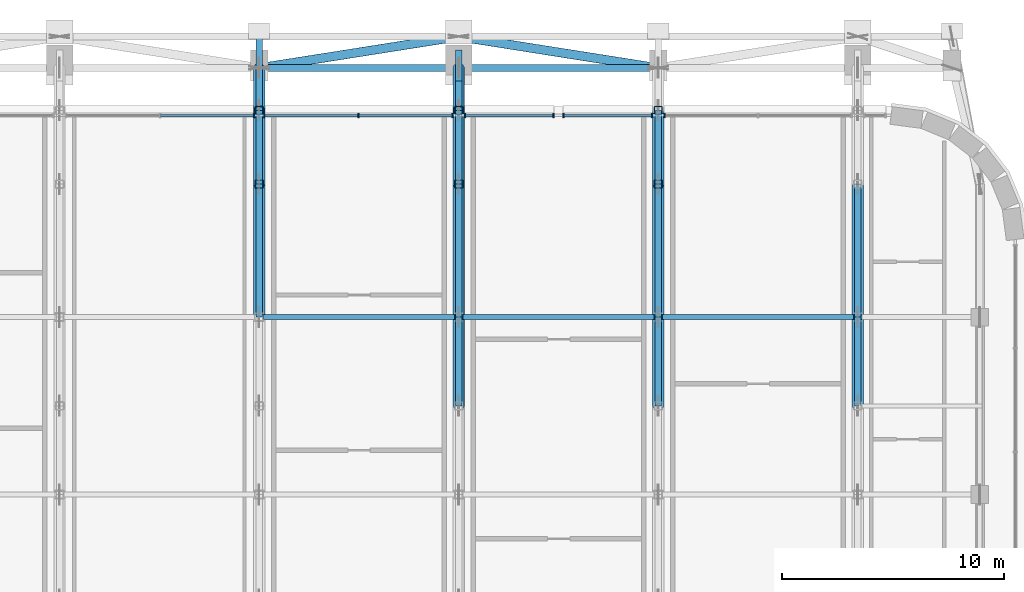
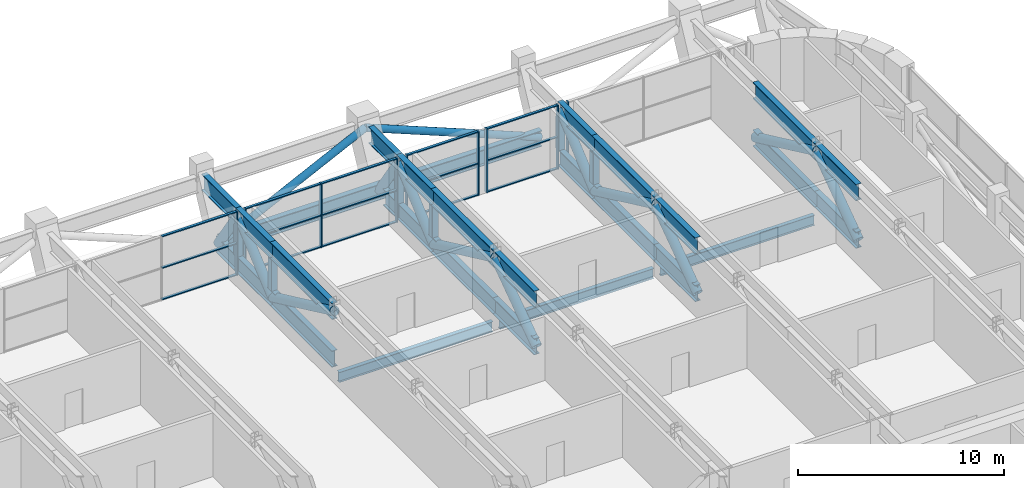
# One storey, part 11 of 28: 70 members, 3 beams, 5 elements without a shape of their own.
"""IFC4 building model written with IfcOpenShell, lengths in metres."""

from ifc_helpers import new_model, si_unit, direction, frame, origin, origin_2d, place, context, subcontext, project, spatial, rectangle, hollow_rectangle, hollow_circle, i_section, extrude, material, material_profile, profile_set, type_object, element, aggregate, save


model = new_model("IFC4")

# Units and contexts
model_context = context("Model", 3, precision=1e-05, world=origin(), true_north=direction((0.0, 1.0)))
body_context = subcontext(model_context, "Body", "Model", "MODEL_VIEW")
ifc_project = project(units=[si_unit("LENGTHUNIT", "METRE"), si_unit("AREAUNIT", "SQUARE_METRE"), si_unit("VOLUMEUNIT", "CUBIC_METRE"), si_unit("PLANEANGLEUNIT", "RADIAN"), si_unit("MASSUNIT", "GRAM", prefix="KILO")], contexts=[model_context])

# Site, building, storey
site_placement = place(None, origin())
site = spatial("IfcSite", under=ifc_project, at=site_placement, CompositionType="ELEMENT")
building_placement = place(site_placement, origin())
building = spatial("IfcBuilding", under=site, at=building_placement, Name="Zellij Exchange Tower", CompositionType="ELEMENT")
storey_placement = place(building_placement, frame((0.0, 0.0, 268.5)))
storey = spatial("IfcBuildingStorey", under=building, at=storey_placement, Name="L63", CompositionType="ELEMENT", Elevation=268.5)

# Curtain wall, member
ifc_material_1 = material(Name="Aluminium frame, clear insulating glass", Category="aluminium")
curtain_wall_type = type_object("IfcCurtainWallType", Name="ENV-CW2 Outrigger-storey glazing", PredefinedType="NOTDEFINED", material=ifc_material_1)
curtain_wall_1_placement = place(storey_placement, origin())
curtain_wall_1 = element("IfcCurtainWall", 1, at=curtain_wall_1_placement, inside=storey, type_object=curtain_wall_type, Name="cw.L63.14a.b", PredefinedType="NOTDEFINED")
ifc_material_2 = material(Name="Aluminium", Category="aluminium")
ifc_material_profile_1 = material_profile(ifc_material_2, rectangle(XDim=0.06005859375, YDim=0.199951171875, at=origin_2d()), Name="AL 60x200")
ifc_profile_set_1 = profile_set([ifc_material_profile_1], Name="Aluminium")
member_type_1 = type_object("IfcMemberType", Name="ENV-CW2M Mullion 60x200", PredefinedType="MULLION", material=ifc_profile_set_1)
member_1_placement = place(storey_placement, frame((18.27978515625, 31.10009765625, 0.0), z_axis=(0.0, 0.0, 1.0), x_axis=(-1.0, 0.0, 0.0)))
member_1 = element("IfcMember", 2, at=member_1_placement, type_object=member_type_1, Name="CW2 mullion 3", PredefinedType="MULLION", context=body_context, shape_type="SweptSolid", body=[
    extrude(rectangle(XDim=0.06005859375, YDim=0.199951171875, at=origin_2d()), origin(), (0.0, 0.0, 1.0), 3.780029296875),
])
aggregate(curtain_wall_1, [member_1])

# Curtain wall, members
curtain_wall_2_placement = place(storey_placement, origin())
curtain_wall_2 = element("IfcCurtainWall", 3, at=curtain_wall_2_placement, inside=storey, type_object=curtain_wall_type, Name="cw.L63.14a.c", PredefinedType="NOTDEFINED")
member_2_placement = place(storey_placement, frame((17.72021484375, 31.10009765625, 0.0), z_axis=(0.0, 0.0, 1.0), x_axis=(-1.0, 0.0, 0.0)))
member_2 = element("IfcMember", 4, at=member_2_placement, type_object=member_type_1, Name="CW2 mullion 1", PredefinedType="MULLION", context=body_context, shape_type="SweptSolid", body=[
    extrude(rectangle(XDim=0.06005859375, YDim=0.199951171875, at=origin_2d()), origin(), (0.0, 0.0, 1.0), 3.780029296875),
])
member_3_placement = place(storey_placement, frame((13.72998046875, 31.10009765625, 0.0), z_axis=(0.0, 0.0, 1.0), x_axis=(-1.0, 0.0, 0.0)))
member_3 = element("IfcMember", 5, at=member_3_placement, type_object=member_type_1, Name="CW2 mullion 2", PredefinedType="MULLION", context=body_context, shape_type="SweptSolid", body=[
    extrude(rectangle(XDim=0.06005859375, YDim=0.199951171875, at=origin_2d()), origin(), (0.0, 0.0, 1.0), 3.780029296875),
])

curtain_wall_3_placement = place(storey_placement, origin())
curtain_wall_3 = element("IfcCurtainWall", 6, at=curtain_wall_3_placement, inside=storey, type_object=curtain_wall_type, Name="cw.L63.14b.a", PredefinedType="NOTDEFINED")
member_4_placement = place(storey_placement, frame((13.27001953125, 31.10009765625, 0.0), z_axis=(0.0, 0.0, 1.0), x_axis=(-1.0, 0.0, 0.0)))
member_4 = element("IfcMember", 7, at=member_4_placement, type_object=member_type_1, Name="CW2 mullion 1", PredefinedType="MULLION", context=body_context, shape_type="SweptSolid", body=[
    extrude(rectangle(XDim=0.06005859375, YDim=0.199951171875, at=origin_2d()), origin(), (0.0, 0.0, 1.0), 3.780029296875),
])
member_5_placement = place(storey_placement, frame((9.27978515625, 31.10009765625, 0.0), z_axis=(0.0, 0.0, 1.0), x_axis=(-1.0, 0.0, 0.0)))
member_5 = element("IfcMember", 8, at=member_5_placement, type_object=member_type_1, Name="CW2 mullion 2", PredefinedType="MULLION", context=body_context, shape_type="SweptSolid", body=[
    extrude(rectangle(XDim=0.06005859375, YDim=0.199951171875, at=origin_2d()), origin(), (0.0, 0.0, 1.0), 3.780029296875),
])

curtain_wall_4_placement = place(storey_placement, origin())
curtain_wall_4 = element("IfcCurtainWall", 9, at=curtain_wall_4_placement, inside=storey, type_object=curtain_wall_type, Name="cw.L63.14b.b", PredefinedType="NOTDEFINED")
member_6_placement = place(storey_placement, frame((8.72021484375, 31.10009765625, 0.0), z_axis=(0.0, 0.0, 1.0), x_axis=(-1.0, 0.0, 0.0)))
member_6 = element("IfcMember", 10, at=member_6_placement, type_object=member_type_1, Name="CW2 mullion 1", PredefinedType="MULLION", context=body_context, shape_type="SweptSolid", body=[
    extrude(rectangle(XDim=0.06005859375, YDim=0.199951171875, at=origin_2d()), origin(), (0.0, 0.0, 1.0), 3.780029296875),
])
member_7_placement = place(storey_placement, frame((4.47509765625, 31.10009765625, 0.0), z_axis=(0.0, 0.0, 1.0), x_axis=(-1.0, 0.0, 0.0)))
member_7 = element("IfcMember", 11, at=member_7_placement, type_object=member_type_1, Name="CW2 mullion 2", PredefinedType="MULLION", context=body_context, shape_type="SweptSolid", body=[
    extrude(rectangle(XDim=0.06005859375, YDim=0.199951171875, at=origin_2d()), origin(), (0.0, 0.0, 1.0), 3.780029296875),
])
member_8_placement = place(storey_placement, frame((0.22998046875, 31.10009765625, 0.0), z_axis=(0.0, 0.0, 1.0), x_axis=(-1.0, 0.0, 0.0)))
member_8 = element("IfcMember", 12, at=member_8_placement, type_object=member_type_1, Name="CW2 mullion 3", PredefinedType="MULLION", context=body_context, shape_type="SweptSolid", body=[
    extrude(rectangle(XDim=0.06005859375, YDim=0.199951171875, at=origin_2d()), origin(), (0.0, 0.0, 1.0), 3.780029296875),
])

# Curtain wall, member
curtain_wall_5_placement = place(storey_placement, origin())
curtain_wall_5 = element("IfcCurtainWall", 13, at=curtain_wall_5_placement, inside=storey, type_object=curtain_wall_type, Name="cw.L63.14c.a", PredefinedType="NOTDEFINED")
member_9_placement = place(storey_placement, frame((-0.22998046875, 31.10009765625, 0.0), z_axis=(0.0, 0.0, 1.0), x_axis=(-1.0, 0.0, 0.0)))
member_9 = element("IfcMember", 14, at=member_9_placement, type_object=member_type_1, Name="CW2 mullion 1", PredefinedType="MULLION", context=body_context, shape_type="SweptSolid", body=[
    extrude(rectangle(XDim=0.06005859375, YDim=0.199951171875, at=origin_2d()), origin(), (0.0, 0.0, 1.0), 3.780029296875),
])

# Member
ifc_material_profile_2 = material_profile(ifc_material_2, rectangle(XDim=0.139892578125, YDim=0.06005859375, at=origin_2d()), Name="AL 140x60")
ifc_profile_set_2 = profile_set([ifc_material_profile_2], Name="Aluminium")
member_type_2 = type_object("IfcMemberType", Name="ENV-CW2T Transom 140x60", PredefinedType="USERDEFINED", material=ifc_profile_set_2)
member_10_placement = place(storey_placement, frame((17.690185546875, 31.10009765625, 0.030029296875), z_axis=(-1.0, 0.0, 0.0), x_axis=(0.0, -1.0, 0.0)))
member_10 = element("IfcMember", 15, at=member_10_placement, type_object=member_type_2, Name="CW2 transom 1.1", ObjectType="TRANSOM", PredefinedType="USERDEFINED", context=body_context, shape_type="SweptSolid", body=[
    extrude(rectangle(XDim=0.139892578125, YDim=0.06005859375, at=origin_2d()), origin(), (0.0, 0.0, 1.0), 3.93017578125),
])

member_11_placement = place(storey_placement, frame((17.690185546875, 31.10009765625, 1.889892578125), z_axis=(-1.0, 0.0, 0.0), x_axis=(0.0, -1.0, 0.0)))
member_11 = element("IfcMember", 16, at=member_11_placement, type_object=member_type_2, Name="CW2 transom 1.2", ObjectType="TRANSOM", PredefinedType="USERDEFINED", context=body_context, shape_type="SweptSolid", body=[
    extrude(rectangle(XDim=0.139892578125, YDim=0.06005859375, at=origin_2d()), origin(), (0.0, 0.0, 1.0), 3.93017578125),
])

member_12_placement = place(storey_placement, frame((17.690185546875, 31.10009765625, 3.75), z_axis=(-1.0, 0.0, 0.0), x_axis=(0.0, -1.0, 0.0)))
member_12 = element("IfcMember", 17, at=member_12_placement, type_object=member_type_2, Name="CW2 transom 1.3", ObjectType="TRANSOM", PredefinedType="USERDEFINED", context=body_context, shape_type="SweptSolid", body=[
    extrude(rectangle(XDim=0.139892578125, YDim=0.06005859375, at=origin_2d()), origin(), (0.0, 0.0, 1.0), 3.93017578125),
])

aggregate(curtain_wall_2, [member_2, member_3, member_10, member_11, member_12])

member_13_placement = place(storey_placement, frame((13.239990234375, 31.10009765625, 0.030029296875), z_axis=(-1.0, 0.0, 0.0), x_axis=(0.0, -1.0, 0.0)))
member_13 = element("IfcMember", 18, at=member_13_placement, type_object=member_type_2, Name="CW2 transom 1.1", ObjectType="TRANSOM", PredefinedType="USERDEFINED", context=body_context, shape_type="SweptSolid", body=[
    extrude(rectangle(XDim=0.139892578125, YDim=0.06005859375, at=origin_2d()), origin(), (0.0, 0.0, 1.0), 3.93017578125),
])

member_14_placement = place(storey_placement, frame((13.239990234375, 31.10009765625, 1.889892578125), z_axis=(-1.0, 0.0, 0.0), x_axis=(0.0, -1.0, 0.0)))
member_14 = element("IfcMember", 19, at=member_14_placement, type_object=member_type_2, Name="CW2 transom 1.2", ObjectType="TRANSOM", PredefinedType="USERDEFINED", context=body_context, shape_type="SweptSolid", body=[
    extrude(rectangle(XDim=0.139892578125, YDim=0.06005859375, at=origin_2d()), origin(), (0.0, 0.0, 1.0), 3.93017578125),
])

member_15_placement = place(storey_placement, frame((13.239990234375, 31.10009765625, 3.75), z_axis=(-1.0, 0.0, 0.0), x_axis=(0.0, -1.0, 0.0)))
member_15 = element("IfcMember", 20, at=member_15_placement, type_object=member_type_2, Name="CW2 transom 1.3", ObjectType="TRANSOM", PredefinedType="USERDEFINED", context=body_context, shape_type="SweptSolid", body=[
    extrude(rectangle(XDim=0.139892578125, YDim=0.06005859375, at=origin_2d()), origin(), (0.0, 0.0, 1.0), 3.93017578125),
])

aggregate(curtain_wall_3, [member_4, member_5, member_13, member_14, member_15])

member_16_placement = place(storey_placement, frame((8.690185546875, 31.10009765625, 0.030029296875), z_axis=(-1.0, 0.0, 0.0), x_axis=(0.0, -1.0, 0.0)))
member_16 = element("IfcMember", 21, at=member_16_placement, type_object=member_type_2, Name="CW2 transom 1.1", ObjectType="TRANSOM", PredefinedType="USERDEFINED", context=body_context, shape_type="SweptSolid", body=[
    extrude(rectangle(XDim=0.139892578125, YDim=0.06005859375, at=origin_2d()), origin(), (0.0, 0.0, 1.0), 4.18505859375),
])

member_17_placement = place(storey_placement, frame((8.690185546875, 31.10009765625, 1.889892578125), z_axis=(-1.0, 0.0, 0.0), x_axis=(0.0, -1.0, 0.0)))
member_17 = element("IfcMember", 22, at=member_17_placement, type_object=member_type_2, Name="CW2 transom 1.2", ObjectType="TRANSOM", PredefinedType="USERDEFINED", context=body_context, shape_type="SweptSolid", body=[
    extrude(rectangle(XDim=0.139892578125, YDim=0.06005859375, at=origin_2d()), origin(), (0.0, 0.0, 1.0), 4.18505859375),
])

member_18_placement = place(storey_placement, frame((8.690185546875, 31.10009765625, 3.75), z_axis=(-1.0, 0.0, 0.0), x_axis=(0.0, -1.0, 0.0)))
member_18 = element("IfcMember", 23, at=member_18_placement, type_object=member_type_2, Name="CW2 transom 1.3", ObjectType="TRANSOM", PredefinedType="USERDEFINED", context=body_context, shape_type="SweptSolid", body=[
    extrude(rectangle(XDim=0.139892578125, YDim=0.06005859375, at=origin_2d()), origin(), (0.0, 0.0, 1.0), 4.18505859375),
])

member_19_placement = place(storey_placement, frame((4.445068359375, 31.10009765625, 0.030029296875), z_axis=(-1.0, 0.0, 0.0), x_axis=(0.0, -1.0, 0.0)))
member_19 = element("IfcMember", 24, at=member_19_placement, type_object=member_type_2, Name="CW2 transom 2.1", ObjectType="TRANSOM", PredefinedType="USERDEFINED", context=body_context, shape_type="SweptSolid", body=[
    extrude(rectangle(XDim=0.139892578125, YDim=0.06005859375, at=origin_2d()), origin(), (0.0, 0.0, 1.0), 4.18505859375),
])

member_20_placement = place(storey_placement, frame((4.445068359375, 31.10009765625, 1.889892578125), z_axis=(-1.0, 0.0, 0.0), x_axis=(0.0, -1.0, 0.0)))
member_20 = element("IfcMember", 25, at=member_20_placement, type_object=member_type_2, Name="CW2 transom 2.2", ObjectType="TRANSOM", PredefinedType="USERDEFINED", context=body_context, shape_type="SweptSolid", body=[
    extrude(rectangle(XDim=0.139892578125, YDim=0.06005859375, at=origin_2d()), origin(), (0.0, 0.0, 1.0), 4.18505859375),
])

member_21_placement = place(storey_placement, frame((4.445068359375, 31.10009765625, 3.75), z_axis=(-1.0, 0.0, 0.0), x_axis=(0.0, -1.0, 0.0)))
member_21 = element("IfcMember", 26, at=member_21_placement, type_object=member_type_2, Name="CW2 transom 2.3", ObjectType="TRANSOM", PredefinedType="USERDEFINED", context=body_context, shape_type="SweptSolid", body=[
    extrude(rectangle(XDim=0.139892578125, YDim=0.06005859375, at=origin_2d()), origin(), (0.0, 0.0, 1.0), 4.18505859375),
])

aggregate(curtain_wall_4, [member_6, member_7, member_8, member_16, member_17, member_18, member_19, member_20, member_21])

member_22_placement = place(storey_placement, frame((-0.260009765625, 31.10009765625, 0.030029296875), z_axis=(-1.0, 0.0, 0.0), x_axis=(0.0, -1.0, 0.0)))
member_22 = element("IfcMember", 27, at=member_22_placement, type_object=member_type_2, Name="CW2 transom 1.1", ObjectType="TRANSOM", PredefinedType="USERDEFINED", context=body_context, shape_type="SweptSolid", body=[
    extrude(rectangle(XDim=0.139892578125, YDim=0.06005859375, at=origin_2d()), origin(), (0.0, 0.0, 1.0), 4.18505859375),
])

member_23_placement = place(storey_placement, frame((-0.260009765625, 31.10009765625, 1.889892578125), z_axis=(-1.0, 0.0, 0.0), x_axis=(0.0, -1.0, 0.0)))
member_23 = element("IfcMember", 28, at=member_23_placement, type_object=member_type_2, Name="CW2 transom 1.2", ObjectType="TRANSOM", PredefinedType="USERDEFINED", context=body_context, shape_type="SweptSolid", body=[
    extrude(rectangle(XDim=0.139892578125, YDim=0.06005859375, at=origin_2d()), origin(), (0.0, 0.0, 1.0), 4.18505859375),
])

member_24_placement = place(storey_placement, frame((-0.260009765625, 31.10009765625, 3.75), z_axis=(-1.0, 0.0, 0.0), x_axis=(0.0, -1.0, 0.0)))
member_24 = element("IfcMember", 29, at=member_24_placement, type_object=member_type_2, Name="CW2 transom 1.3", ObjectType="TRANSOM", PredefinedType="USERDEFINED", context=body_context, shape_type="SweptSolid", body=[
    extrude(rectangle(XDim=0.139892578125, YDim=0.06005859375, at=origin_2d()), origin(), (0.0, 0.0, 1.0), 4.18505859375),
])

aggregate(curtain_wall_5, [member_9, member_22, member_23, member_24])

# Members
ifc_material_3 = material(Name="Structural steel ASTM A992 Gr 50", Category="steel")
ifc_material_profile_3 = material_profile(ifc_material_3, i_section(OverallWidth=0.307373046875, OverallDepth=0.9423828125, WebThickness=0.022216796875, FlangeThickness=0.039794921875, at=origin_2d()), Name="W36x232")
ifc_profile_set_3 = profile_set([ifc_material_profile_3], Name="Structural steel ASTM A992 Gr 50")
member_type_3 = type_object("IfcMemberType", Name="STR-BELT TRUSS CHORD W36x232", PredefinedType="CHORD", material=ifc_profile_set_3)
for number, where, z_axis, x_axis, name in (
    (30, (0.0, 33.235595703125, 0.47119140625), (1.0, 0.0, 0.0), (0.0, 1.0, 0.0), "BT1"),
    (31, (9.0, 33.235595703125, 0.47119140625), (1.0, 0.0, 0.0), (0.0, 1.0, 0.0), "BT1"),
):
    element("IfcMember", number, at=place(storey_placement, frame(where, z_axis=z_axis, x_axis=x_axis)), inside=storey, type_object=member_type_3, Name=name, PredefinedType="CHORD", context=body_context, shape_type="SweptSolid", body=[
        extrude(i_section(OverallWidth=0.307373046875, OverallDepth=0.9423828125, WebThickness=0.022216796875, FlangeThickness=0.039794921875, at=origin_2d()), origin(), (0.0, 0.0, 1.0), 9.0),
    ])
ifc_material_4 = material(Name="Structural steel ASTM A500 Gr C", Category="steel")
ifc_material_profile_4 = material_profile(ifc_material_4, hollow_circle(Radius=0.203125, WallThickness=0.01171875, at=origin_2d()), Name="STR-BELT TRUSS DIAGONAL HSS16.000x0.500")
ifc_profile_set_4 = profile_set([ifc_material_profile_4], Name="Structural steel ASTM A500 Gr C")
member_type_4 = type_object("IfcMemberType", Name="STR-BELT TRUSS DIAGONAL HSS16.000x0.500", PredefinedType="BRACE", material=ifc_profile_set_4)
for number, where, z_axis, x_axis, name in (
    (32, (0.0, 33.235595703125, 0.47119140625), (0.943119840636, 0.148667247014, 0.297360077792), (-0.155710759714, 0.987802692499, 0.0), "BT2"),
    (33, (9.0, 34.654296875, 3.308837890625), (0.943119840636, -0.148667247014, -0.297360077792), (0.155710759714, 0.987802692499, 0.0), "BT2"),
):
    element("IfcMember", number, at=place(storey_placement, frame(where, z_axis=z_axis, x_axis=x_axis)), inside=storey, type_object=member_type_4, Name=name, PredefinedType="BRACE", context=body_context, shape_type="SweptSolid", body=[
        extrude(hollow_circle(Radius=0.203125, WallThickness=0.01171875, at=origin_2d()), origin(), (0.0, 0.0, 1.0), 9.542724609375),
    ])

# Beams
ifc_material_profile_5 = material_profile(ifc_material_3, i_section(OverallWidth=0.228271484375, OverallDepth=0.607177734375, WebThickness=0.01123046875, FlangeThickness=0.017333984375, at=origin_2d()), Name="W24x76")
ifc_profile_set_5 = profile_set([ifc_material_profile_5], Name="Structural steel ASTM A992 Gr 50")
beam_type = type_object("IfcBeamType", Name="STR-GIRDER W24x76", PredefinedType="BEAM", material=ifc_profile_set_5)
for number, where, z_axis, x_axis, name in (
    (34, (0.199462890625, 22.0, -0.653564453125), (1.0, 0.0, 0.0), (0.0, 1.0, 0.0), "G2"),
    (35, (9.199462890625, 22.0, -0.653564453125), (1.0, 0.0, 0.0), (0.0, 1.0, 0.0), "G2"),
    (36, (18.199462890625, 22.0, -0.653564453125), (1.0, 0.0, 0.0), (0.0, 1.0, 0.0), "G2"),
):
    element("IfcBeam", number, at=place(storey_placement, frame(where, z_axis=z_axis, x_axis=x_axis)), inside=storey, type_object=beam_type, Name=name, PredefinedType="BEAM", context=body_context, shape_type="SweptSolid", body=[
        extrude(i_section(OverallWidth=0.228271484375, OverallDepth=0.607177734375, WebThickness=0.01123046875, FlangeThickness=0.017333984375, at=origin_2d()), origin(), (0.0, 0.0, 1.0), 8.60107421875),
    ])

# Members
ifc_material_5 = material(Name="Structural steel ASTM A913 Gr 65", Category="steel")
ifc_material_profile_6 = material_profile(ifc_material_5, i_section(OverallWidth=0.2998046875, OverallDepth=0.965087890625, WebThickness=0.01904296875, FlangeThickness=0.0361328125, at=origin_2d()), Name="W40x249")
ifc_profile_set_6 = profile_set([ifc_material_profile_6], Name="Structural steel ASTM A913 Gr 65")
member_type_5 = type_object("IfcMemberType", Name="STR-OUTRIGGER TRUSS CHORD W40x249", PredefinedType="CHORD", material=ifc_profile_set_6)
for number, where, z_axis, x_axis, name in (
    (37, (0.0, 22.0, 3.29736328125), (0.0, 1.0, 0.0), (-1.0, 0.0, 0.0), "OT1"),
    (38, (0.0, 22.0, 0.482666015625), (0.0, 1.0, 0.0), (-1.0, 0.0, 0.0), "OT1"),
):
    element("IfcMember", number, at=place(storey_placement, frame(where, z_axis=z_axis, x_axis=x_axis)), inside=storey, type_object=member_type_5, Name=name, PredefinedType="CHORD", context=body_context, shape_type="SweptSolid", body=[
        extrude(i_section(OverallWidth=0.2998046875, OverallDepth=0.965087890625, WebThickness=0.01904296875, FlangeThickness=0.0361328125, at=origin_2d()), origin(), (0.0, 0.0, 1.0), 6.0),
    ])
for number, where, z_axis, x_axis, name in (
    (39, (0.0, 28.0, 3.29736328125), (0.0, 1.0, 0.0), (-1.0, 0.0, 0.0), "OT1"),
    (40, (0.0, 28.0, 0.482666015625), (0.0, 1.0, 0.0), (-1.0, 0.0, 0.0), "OT1"),
):
    element("IfcMember", number, at=place(storey_placement, frame(where, z_axis=z_axis, x_axis=x_axis)), inside=storey, type_object=member_type_5, Name=name, PredefinedType="CHORD", context=body_context, shape_type="SweptSolid", body=[
        extrude(i_section(OverallWidth=0.2998046875, OverallDepth=0.965087890625, WebThickness=0.01904296875, FlangeThickness=0.0361328125, at=origin_2d()), origin(), (0.0, 0.0, 1.0), 3.323974609375),
    ])
member_25_placement = place(storey_placement, frame((0.0, 31.323974609375, 3.29736328125), z_axis=(0.0, 1.0, 0.0), x_axis=(-1.0, 0.0, 0.0)))
element("IfcMember", 41, at=member_25_placement, inside=storey, type_object=member_type_5, Name="OT1", PredefinedType="CHORD", context=body_context, shape_type="SweptSolid", body=[
    extrude(i_section(OverallWidth=0.2998046875, OverallDepth=0.965087890625, WebThickness=0.01904296875, FlangeThickness=0.0361328125, at=origin_2d()), origin(), (0.0, 0.0, 1.0), 3.32470703125),
])
member_26_placement = place(storey_placement, frame((0.0, 31.323974609375, 0.482666015625), z_axis=(0.0, 1.0, 0.0), x_axis=(-1.0, 0.0, 0.0)))
element("IfcMember", 42, at=member_26_placement, inside=storey, type_object=member_type_5, Name="OT1", PredefinedType="CHORD", context=body_context, shape_type="SweptSolid", body=[
    extrude(i_section(OverallWidth=0.2998046875, OverallDepth=0.965087890625, WebThickness=0.01904296875, FlangeThickness=0.0361328125, at=origin_2d()), origin(), (0.0, 0.0, 1.0), 1.917236328125),
])
for number, where, z_axis, x_axis, name in (
    (43, (9.0, 18.0, 3.29736328125), (0.0, 1.0, 0.0), (-1.0, 0.0, 0.0), "OT1"),
    (44, (9.0, 18.0, 0.482666015625), (0.0, 1.0, 0.0), (-1.0, 0.0, 0.0), "OT1"),
):
    element("IfcMember", number, at=place(storey_placement, frame(where, z_axis=z_axis, x_axis=x_axis)), inside=storey, type_object=member_type_5, Name=name, PredefinedType="CHORD", context=body_context, shape_type="SweptSolid", body=[
        extrude(i_section(OverallWidth=0.2998046875, OverallDepth=0.965087890625, WebThickness=0.01904296875, FlangeThickness=0.0361328125, at=origin_2d()), origin(), (0.0, 0.0, 1.0), 4.0),
    ])
for number, where, z_axis, x_axis, name in (
    (45, (9.0, 22.0, 3.29736328125), (0.0, 1.0, 0.0), (-1.0, 0.0, 0.0), "OT1"),
    (46, (9.0, 22.0, 0.482666015625), (0.0, 1.0, 0.0), (-1.0, 0.0, 0.0), "OT1"),
):
    element("IfcMember", number, at=place(storey_placement, frame(where, z_axis=z_axis, x_axis=x_axis)), inside=storey, type_object=member_type_5, Name=name, PredefinedType="CHORD", context=body_context, shape_type="SweptSolid", body=[
        extrude(i_section(OverallWidth=0.2998046875, OverallDepth=0.965087890625, WebThickness=0.01904296875, FlangeThickness=0.0361328125, at=origin_2d()), origin(), (0.0, 0.0, 1.0), 6.0),
    ])
for number, where, z_axis, x_axis, name in (
    (47, (9.0, 28.0, 3.29736328125), (0.0, 1.0, 0.0), (-1.0, 0.0, 0.0), "OT1"),
    (48, (9.0, 28.0, 0.482666015625), (0.0, 1.0, 0.0), (-1.0, 0.0, 0.0), "OT1"),
):
    element("IfcMember", number, at=place(storey_placement, frame(where, z_axis=z_axis, x_axis=x_axis)), inside=storey, type_object=member_type_5, Name=name, PredefinedType="CHORD", context=body_context, shape_type="SweptSolid", body=[
        extrude(i_section(OverallWidth=0.2998046875, OverallDepth=0.965087890625, WebThickness=0.01904296875, FlangeThickness=0.0361328125, at=origin_2d()), origin(), (0.0, 0.0, 1.0), 3.323974609375),
    ])
member_27_placement = place(storey_placement, frame((9.0, 31.323974609375, 3.29736328125), z_axis=(0.0, 1.0, 0.0), x_axis=(-1.0, 0.0, 0.0)))
element("IfcMember", 49, at=member_27_placement, inside=storey, type_object=member_type_5, Name="OT1", PredefinedType="CHORD", context=body_context, shape_type="SweptSolid", body=[
    extrude(i_section(OverallWidth=0.2998046875, OverallDepth=0.965087890625, WebThickness=0.01904296875, FlangeThickness=0.0361328125, at=origin_2d()), origin(), (0.0, 0.0, 1.0), 2.724609375),
])
member_28_placement = place(storey_placement, frame((9.0, 31.323974609375, 0.482666015625), z_axis=(0.0, 1.0, 0.0), x_axis=(-1.0, 0.0, 0.0)))
element("IfcMember", 50, at=member_28_placement, inside=storey, type_object=member_type_5, Name="OT1", PredefinedType="CHORD", context=body_context, shape_type="SweptSolid", body=[
    extrude(i_section(OverallWidth=0.2998046875, OverallDepth=0.965087890625, WebThickness=0.01904296875, FlangeThickness=0.0361328125, at=origin_2d()), origin(), (0.0, 0.0, 1.0), 1.3173828125),
])
for number, where, z_axis, x_axis, name in (
    (51, (18.0, 18.0, 3.29736328125), (0.0, 1.0, 0.0), (-1.0, 0.0, 0.0), "OT1"),
    (52, (18.0, 18.0, 0.482666015625), (0.0, 1.0, 0.0), (-1.0, 0.0, 0.0), "OT1"),
):
    element("IfcMember", number, at=place(storey_placement, frame(where, z_axis=z_axis, x_axis=x_axis)), inside=storey, type_object=member_type_5, Name=name, PredefinedType="CHORD", context=body_context, shape_type="SweptSolid", body=[
        extrude(i_section(OverallWidth=0.2998046875, OverallDepth=0.965087890625, WebThickness=0.01904296875, FlangeThickness=0.0361328125, at=origin_2d()), origin(), (0.0, 0.0, 1.0), 4.0),
    ])
for number, where, z_axis, x_axis, name in (
    (53, (18.0, 22.0, 3.29736328125), (0.0, 1.0, 0.0), (-1.0, 0.0, 0.0), "OT1"),
    (54, (18.0, 22.0, 0.482666015625), (0.0, 1.0, 0.0), (-1.0, 0.0, 0.0), "OT1"),
):
    element("IfcMember", number, at=place(storey_placement, frame(where, z_axis=z_axis, x_axis=x_axis)), inside=storey, type_object=member_type_5, Name=name, PredefinedType="CHORD", context=body_context, shape_type="SweptSolid", body=[
        extrude(i_section(OverallWidth=0.2998046875, OverallDepth=0.965087890625, WebThickness=0.01904296875, FlangeThickness=0.0361328125, at=origin_2d()), origin(), (0.0, 0.0, 1.0), 6.0),
    ])
for number, where, z_axis, x_axis, name in (
    (55, (18.0, 28.0, 3.29736328125), (0.0, 1.0, 0.0), (-1.0, 0.0, 0.0), "OT1"),
    (56, (18.0, 28.0, 0.482666015625), (0.0, 1.0, 0.0), (-1.0, 0.0, 0.0), "OT1"),
):
    element("IfcMember", number, at=place(storey_placement, frame(where, z_axis=z_axis, x_axis=x_axis)), inside=storey, type_object=member_type_5, Name=name, PredefinedType="CHORD", context=body_context, shape_type="SweptSolid", body=[
        extrude(i_section(OverallWidth=0.2998046875, OverallDepth=0.965087890625, WebThickness=0.01904296875, FlangeThickness=0.0361328125, at=origin_2d()), origin(), (0.0, 0.0, 1.0), 3.323974609375),
    ])
for number, where, z_axis, x_axis, name in (
    (57, (27.0, 18.0, 3.29736328125), (0.0, 1.0, 0.0), (-1.0, 0.0, 0.0), "OT1"),
    (58, (27.0, 18.0, 0.482666015625), (0.0, 1.0, 0.0), (-1.0, 0.0, 0.0), "OT1"),
):
    element("IfcMember", number, at=place(storey_placement, frame(where, z_axis=z_axis, x_axis=x_axis)), inside=storey, type_object=member_type_5, Name=name, PredefinedType="CHORD", context=body_context, shape_type="SweptSolid", body=[
        extrude(i_section(OverallWidth=0.2998046875, OverallDepth=0.965087890625, WebThickness=0.01904296875, FlangeThickness=0.0361328125, at=origin_2d()), origin(), (0.0, 0.0, 1.0), 4.0),
    ])
for number, where, z_axis, x_axis, name in (
    (59, (27.0, 22.0, 3.29736328125), (0.0, 1.0, 0.0), (-1.0, 0.0, 0.0), "OT1"),
    (60, (27.0, 22.0, 0.482666015625), (0.0, 1.0, 0.0), (-1.0, 0.0, 0.0), "OT1"),
):
    element("IfcMember", number, at=place(storey_placement, frame(where, z_axis=z_axis, x_axis=x_axis)), inside=storey, type_object=member_type_5, Name=name, PredefinedType="CHORD", context=body_context, shape_type="SweptSolid", body=[
        extrude(i_section(OverallWidth=0.2998046875, OverallDepth=0.965087890625, WebThickness=0.01904296875, FlangeThickness=0.0361328125, at=origin_2d()), origin(), (0.0, 0.0, 1.0), 6.0),
    ])
ifc_material_profile_7 = material_profile(ifc_material_4, hollow_circle(Radius=0.25390625, WallThickness=0.01171875, at=origin_2d()), Name="STR-OUTRIGGER TRUSS DIAGONAL HSS20.000x0.500")
ifc_profile_set_7 = profile_set([ifc_material_profile_7], Name="Structural steel ASTM A500 Gr C")
member_type_6 = type_object("IfcMemberType", Name="STR-OUTRIGGER TRUSS DIAGONAL HSS20.000x0.500", PredefinedType="BRACE", material=ifc_profile_set_7)
member_29_placement = place(storey_placement, frame((0.0, 22.0, 3.29736328125), z_axis=(0.0, 0.905331480989, -0.424705674004), x_axis=(-1.0, 0.0, 0.0)))
element("IfcMember", 61, at=member_29_placement, inside=storey, type_object=member_type_6, Name="OT2", PredefinedType="BRACE", context=body_context, shape_type="SweptSolid", body=[
    extrude(hollow_circle(Radius=0.25390625, WallThickness=0.01171875, at=origin_2d()), origin(), (0.0, 0.0, 1.0), 6.62744140625),
])
member_30_placement = place(storey_placement, frame((0.0, 28.0, 0.482666015625), z_axis=(0.0, 0.763148109098, 0.646223617318), x_axis=(-1.0, 0.0, 0.0)))
element("IfcMember", 62, at=member_30_placement, inside=storey, type_object=member_type_6, Name="OT2", PredefinedType="BRACE", context=body_context, shape_type="SweptSolid", body=[
    extrude(hollow_circle(Radius=0.25390625, WallThickness=0.01171875, at=origin_2d()), origin(), (0.0, 0.0, 1.0), 4.355712890625),
])
member_31_placement = place(storey_placement, frame((0.0, 31.323974609375, 3.29736328125), z_axis=(0.0, 0.562960837411, -0.826483572457), x_axis=(-1.0, 0.0, 0.0)))
element("IfcMember", 63, at=member_31_placement, inside=storey, type_object=member_type_6, Name="OT2", PredefinedType="BRACE", context=body_context, shape_type="SweptSolid", body=[
    extrude(hollow_circle(Radius=0.25390625, WallThickness=0.01171875, at=origin_2d()), origin(), (0.0, 0.0, 1.0), 3.405517578125),
])
member_32_placement = place(storey_placement, frame((9.0, 18.0, 0.482666015625), z_axis=(0.0, 0.8178177303, 0.575477332314), x_axis=(-1.0, 0.0, 0.0)))
element("IfcMember", 64, at=member_32_placement, inside=storey, type_object=member_type_6, Name="OT2", PredefinedType="BRACE", context=body_context, shape_type="SweptSolid", body=[
    extrude(hollow_circle(Radius=0.25390625, WallThickness=0.01171875, at=origin_2d()), origin(), (0.0, 0.0, 1.0), 4.89111328125),
])
member_33_placement = place(storey_placement, frame((9.0, 22.0, 3.29736328125), z_axis=(0.0, 0.905331480989, -0.424705674004), x_axis=(-1.0, 0.0, 0.0)))
element("IfcMember", 65, at=member_33_placement, inside=storey, type_object=member_type_6, Name="OT2", PredefinedType="BRACE", context=body_context, shape_type="SweptSolid", body=[
    extrude(hollow_circle(Radius=0.25390625, WallThickness=0.01171875, at=origin_2d()), origin(), (0.0, 0.0, 1.0), 6.62744140625),
])
member_34_placement = place(storey_placement, frame((9.0, 28.0, 0.482666015625), z_axis=(0.0, 0.763148109098, 0.646223617318), x_axis=(-1.0, 0.0, 0.0)))
element("IfcMember", 66, at=member_34_placement, inside=storey, type_object=member_type_6, Name="OT2", PredefinedType="BRACE", context=body_context, shape_type="SweptSolid", body=[
    extrude(hollow_circle(Radius=0.25390625, WallThickness=0.01171875, at=origin_2d()), origin(), (0.0, 0.0, 1.0), 4.355712890625),
])
member_35_placement = place(storey_placement, frame((9.0, 31.323974609375, 3.29736328125), z_axis=(0.0, 0.562960837411, -0.826483572457), x_axis=(-1.0, 0.0, 0.0)))
element("IfcMember", 67, at=member_35_placement, inside=storey, type_object=member_type_6, Name="OT2", PredefinedType="BRACE", context=body_context, shape_type="SweptSolid", body=[
    extrude(hollow_circle(Radius=0.25390625, WallThickness=0.01171875, at=origin_2d()), origin(), (0.0, 0.0, 1.0), 3.405517578125),
])
member_36_placement = place(storey_placement, frame((18.0, 18.0, 0.482666015625), z_axis=(0.0, 0.8178177303, 0.575477332314), x_axis=(-1.0, 0.0, 0.0)))
element("IfcMember", 68, at=member_36_placement, inside=storey, type_object=member_type_6, Name="OT2", PredefinedType="BRACE", context=body_context, shape_type="SweptSolid", body=[
    extrude(hollow_circle(Radius=0.25390625, WallThickness=0.01171875, at=origin_2d()), origin(), (0.0, 0.0, 1.0), 4.89111328125),
])
member_37_placement = place(storey_placement, frame((18.0, 22.0, 3.29736328125), z_axis=(0.0, 0.905331480989, -0.424705674004), x_axis=(-1.0, 0.0, 0.0)))
element("IfcMember", 69, at=member_37_placement, inside=storey, type_object=member_type_6, Name="OT2", PredefinedType="BRACE", context=body_context, shape_type="SweptSolid", body=[
    extrude(hollow_circle(Radius=0.25390625, WallThickness=0.01171875, at=origin_2d()), origin(), (0.0, 0.0, 1.0), 6.62744140625),
])
member_38_placement = place(storey_placement, frame((18.0, 28.0, 0.482666015625), z_axis=(0.0, 0.763148109098, 0.646223617318), x_axis=(-1.0, 0.0, 0.0)))
element("IfcMember", 70, at=member_38_placement, inside=storey, type_object=member_type_6, Name="OT2", PredefinedType="BRACE", context=body_context, shape_type="SweptSolid", body=[
    extrude(hollow_circle(Radius=0.25390625, WallThickness=0.01171875, at=origin_2d()), origin(), (0.0, 0.0, 1.0), 4.355712890625),
])
member_39_placement = place(storey_placement, frame((27.0, 18.0, 0.482666015625), z_axis=(0.0, 0.8178177303, 0.575477332314), x_axis=(-1.0, 0.0, 0.0)))
element("IfcMember", 71, at=member_39_placement, inside=storey, type_object=member_type_6, Name="OT2", PredefinedType="BRACE", context=body_context, shape_type="SweptSolid", body=[
    extrude(hollow_circle(Radius=0.25390625, WallThickness=0.01171875, at=origin_2d()), origin(), (0.0, 0.0, 1.0), 4.89111328125),
])
member_40_placement = place(storey_placement, frame((27.0, 22.0, 3.29736328125), z_axis=(0.0, 0.905331480989, -0.424705674004), x_axis=(-1.0, 0.0, 0.0)))
element("IfcMember", 72, at=member_40_placement, inside=storey, type_object=member_type_6, Name="OT2", PredefinedType="BRACE", context=body_context, shape_type="SweptSolid", body=[
    extrude(hollow_circle(Radius=0.25390625, WallThickness=0.01171875, at=origin_2d()), origin(), (0.0, 0.0, 1.0), 6.62744140625),
])
ifc_material_profile_8 = material_profile(ifc_material_4, hollow_rectangle(XDim=0.355712890625, YDim=0.355712890625, WallThickness=0.01171875, InnerFilletRadius=0.01171875, OuterFilletRadius=0.023681640625, at=origin_2d()), Name="STR-OUTRIGGER TRUSS POST HSS14x14x1/2")
ifc_profile_set_8 = profile_set([ifc_material_profile_8], Name="Structural steel ASTM A500 Gr C")
member_type_7 = type_object("IfcMemberType", Name="STR-OUTRIGGER TRUSS POST HSS14x14x1/2", PredefinedType="POST", material=ifc_profile_set_8)
for number, where, z_axis, x_axis, name in (
    (73, (0.0, 28.0, 0.965087890625), (0.0, 0.0, 1.0), (1.0, 0.0, 0.0), "OT3"),
    (74, (0.0, 31.323974609375, 0.965087890625), (0.0, 0.0, 1.0), (1.0, 0.0, 0.0), "OT3"),
    (75, (9.0, 28.0, 0.965087890625), (0.0, 0.0, 1.0), (1.0, 0.0, 0.0), "OT3"),
    (76, (9.0, 31.323974609375, 0.965087890625), (0.0, 0.0, 1.0), (1.0, 0.0, 0.0), "OT3"),
    (77, (18.0, 28.0, 0.965087890625), (0.0, 0.0, 1.0), (1.0, 0.0, 0.0), "OT3"),
    (78, (18.0, 31.323974609375, 0.965087890625), (0.0, 0.0, 1.0), (1.0, 0.0, 0.0), "OT3"),
):
    element("IfcMember", number, at=place(storey_placement, frame(where, z_axis=z_axis, x_axis=x_axis)), inside=storey, type_object=member_type_7, Name=name, PredefinedType="POST", context=body_context, shape_type="SweptSolid", body=[
        extrude(hollow_rectangle(XDim=0.355712890625, YDim=0.355712890625, WallThickness=0.01171875, InnerFilletRadius=0.01171875, OuterFilletRadius=0.023681640625, at=origin_2d()), origin(), (0.0, 0.0, 1.0), 1.849609375),
    ])

save(model, "model.ifc")
